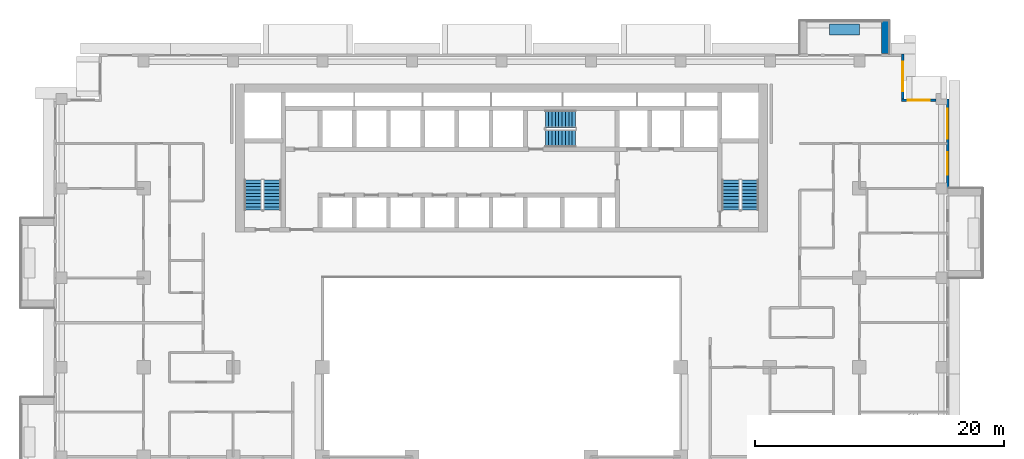
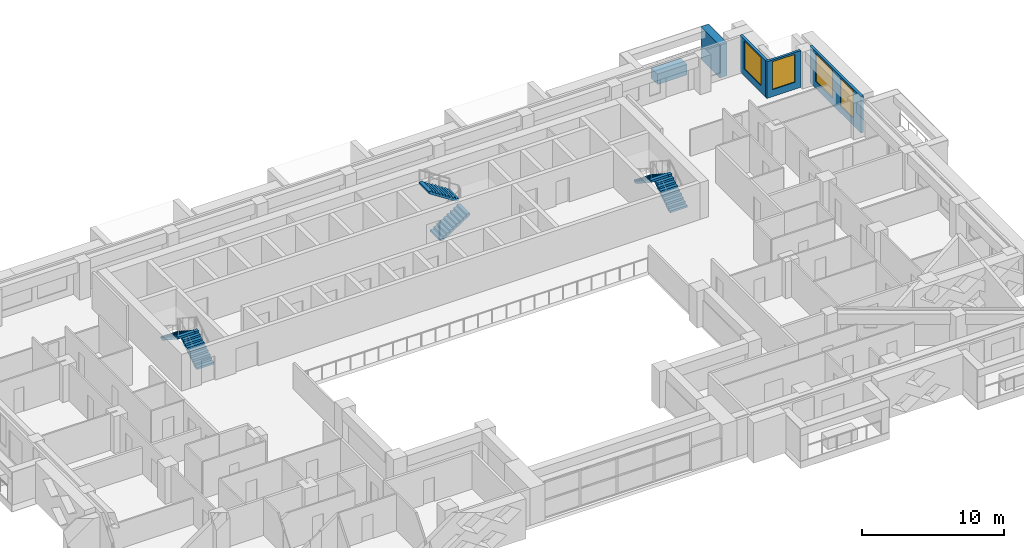
# One storey, part 12 of 19: 6 stair flights, 5 walls, 4 windows, 4 openings, 3 elements without a shape of their own.
"""IFC4 building model written with IfcOpenShell, lengths in metres."""

import ifcopenshell
import ifcopenshell.guid

model = None  # the IFC model being written
_history = None  # IfcOwnerHistory: only IFC2X3 demands one
_inside = {}  # id of a spatial element -> (the spatial element, [elements in it])
_under = {}  # id of a project, library or spatial element -> (it, [spatial elements below it])
_declared = {}  # id of a project -> (the project, [libraries it declares])
_typed = {}  # id of a type object -> (the type object, [elements of that type])
_made_of = {}  # id of a material, layer set ... -> (it, [elements and type objects made of it])


def new_model(schema):
    """Start an empty IFC model of exactly this schema.

    Asked for "IFC4X3", IfcOpenShell would pick the latest addendum, in which some entities
    have other attributes; the version numbers below select the first issue.
    IFC2X3 requires an IfcOwnerHistory on every rooted entity: one is made here for all.
    """
    global model, _history
    if schema == "IFC4X3":
        model = ifcopenshell.file(schema_version=(4, 3, 0, 0))
    else:
        model = ifcopenshell.file(schema=schema)
    _inside.clear()
    _under.clear()
    _declared.clear()
    _typed.clear()
    _made_of.clear()
    _history = None
    if model.schema == "IFC2X3":
        org = make("IfcOrganization", Name="unknown")
        user = make(
            "IfcPersonAndOrganization",
            ThePerson=make("IfcPerson", FamilyName="unknown"),
            TheOrganization=org,
        )
        app = make(
            "IfcApplication",
            ApplicationDeveloper=org,
            Version="unknown",
            ApplicationFullName="unknown",
            ApplicationIdentifier="unknown",
        )
        _history = make(
            "IfcOwnerHistory",
            OwningUser=user,
            OwningApplication=app,
            ChangeAction="ADDED",
            CreationDate=0,
        )
    return model


def make(cls, **values):
    """One entity of the class cls with the attributes given. An attribute that is None is left unset."""
    return model.create_entity(
        cls, **{name: value for name, value in values.items() if value is not None}
    )


def rooted(cls, **values):
    """An entity with a GlobalId (a new one), such as an element, a storey or a relation."""
    return make(cls, GlobalId=ifcopenshell.guid.new(), OwnerHistory=_history, **values)


def si_unit(unit_type, name, prefix=None):
    """IfcSIUnit, for example si_unit("LENGTHUNIT", "METRE", prefix="MILLI")."""
    return make("IfcSIUnit", UnitType=unit_type, Prefix=prefix, Name=name)


def assignment(units):
    """IfcUnitAssignment: the units of a project."""
    return None if units is None else make("IfcUnitAssignment", Units=units)


def point(xyz):
    """IfcCartesianPoint."""
    return None if xyz is None else make("IfcCartesianPoint", Coordinates=xyz)


def direction(xyz):
    """IfcDirection."""
    return None if xyz is None else make("IfcDirection", DirectionRatios=xyz)


def frame(location, z_axis=None, x_axis=None):
    """IfcAxis2Placement3D, a coordinate frame: its origin and axes. An axis left out is left unset."""
    return make(
        "IfcAxis2Placement3D",
        Location=point(location),
        Axis=direction(z_axis),
        RefDirection=direction(x_axis),
    )


def frame_2d(location, x_axis=None):
    """IfcAxis2Placement2D, a coordinate frame in the plane: its origin and x axis."""
    return make(
        "IfcAxis2Placement2D", Location=point(location), RefDirection=direction(x_axis)
    )


def origin():
    """The frame at (0, 0, 0) with its axes left unset."""
    return frame((0.0, 0.0, 0.0))


def place(relative_to, where):
    """IfcLocalPlacement: puts the frame where relative to a parent placement (None: the world)."""
    return make(
        "IfcLocalPlacement", PlacementRelTo=relative_to, RelativePlacement=where
    )


def context(
    kind, dimensions, precision=None, world=None, true_north=None, identifier=None
):
    """IfcGeometricRepresentationContext, for example the 3D "Model" context."""
    return make(
        "IfcGeometricRepresentationContext",
        ContextIdentifier=identifier,
        ContextType=kind,
        CoordinateSpaceDimension=dimensions,
        Precision=precision,
        WorldCoordinateSystem=world,
        TrueNorth=true_north,
    )


def subcontext(parent, identifier, kind, view, scale=None):
    """IfcGeometricRepresentationSubContext, for example "Body" below "Model"."""
    return make(
        "IfcGeometricRepresentationSubContext",
        ContextIdentifier=identifier,
        ContextType=kind,
        ParentContext=parent,
        TargetScale=scale,
        TargetView=view,
    )


def project(units=None, contexts=None):
    """IfcProject with its units and contexts."""
    return rooted(
        "IfcProject",
        Name="project",
        RepresentationContexts=contexts,
        UnitsInContext=assignment(units),
    )


def spatial(cls, under=None, at=None, **own):
    """A site, building, storey or space (cls), placed at a placement, below another one or the project."""
    s = rooted(cls, ObjectPlacement=at, **own)
    if under is not None:
        _under.setdefault(under.id(), (under, []))[1].append(s)
    return s


def polyline(points):
    """IfcPolyline through the points."""
    return make("IfcPolyline", Points=[point(p) for p in points])


def profile(cls, at=None, kind="AREA", **sizes):
    """A parametric profile (cls). Its sizes go by their IFC names, for example OverallWidth=200.0."""
    return make(cls, ProfileType=kind, Position=at, **sizes)


def rectangle(**sizes):
    """IfcRectangleProfileDef."""
    return profile("IfcRectangleProfileDef", **sizes)


def outline(outer, holes=None, kind="AREA"):
    """IfcArbitraryClosedProfileDef: a profile drawn as a closed curve; with holes, ...WithVoids."""
    if holes is None:
        return make("IfcArbitraryClosedProfileDef", ProfileType=kind, OuterCurve=outer)
    return make(
        "IfcArbitraryProfileDefWithVoids",
        ProfileType=kind,
        OuterCurve=outer,
        InnerCurves=holes,
    )


def extrude(swept, where, along, depth):
    """IfcExtrudedAreaSolid: the profile swept, set in the frame where, extruded along a direction by depth."""
    return make(
        "IfcExtrudedAreaSolid",
        SweptArea=swept,
        Position=where,
        ExtrudedDirection=direction(along),
        Depth=depth,
    )


def shape(context_of_items, identifier, shape_type, items):
    """IfcShapeRepresentation: the items that make up one representation, for example the "Body"."""
    return make(
        "IfcShapeRepresentation",
        ContextOfItems=context_of_items,
        RepresentationIdentifier=identifier,
        RepresentationType=shape_type,
        Items=items,
    )


def material(Name=None, Category=None):
    """IfcMaterial."""
    return make("IfcMaterial", Name=Name, Category=Category)


def layer(
    of_material, thickness, ventilated=None, Name=None, Category=None, Priority=None
):
    """IfcMaterialLayer: one layer of a wall or slab, of a material (None: an air gap)."""
    return make(
        "IfcMaterialLayer",
        Material=of_material,
        LayerThickness=thickness,
        IsVentilated=ventilated,
        Name=Name,
        Category=Category,
        Priority=Priority,
    )


def layer_set(layers, Name=None):
    """IfcMaterialLayerSet."""
    return make("IfcMaterialLayerSet", MaterialLayers=layers, LayerSetName=Name)


def made_of(thing, what):
    """Note that an element or type object is made of a material, layer set ...; save() writes the relation."""
    if what is not None:
        _made_of.setdefault(what.id(), (what, []))[1].append(thing)
    return thing


def type_object(cls, material=None, **own):
    """A type object (cls), such as IfcWallType, which elements share."""
    return made_of(rooted(cls, **own), material)


def element(
    cls,
    number,
    at=None,
    inside=None,
    cuts=None,
    type_object=None,
    material=None,
    context=None,
    identifier="Body",
    shape_type=None,
    held_by="IfcProductDefinitionShape",
    body=None,
    shapes=None,
    **own,
):
    """One element of the class cls, such as IfcWall. Its Tag is "e" and its number.

    at: its placement. inside: the storey or other place that contains it. cuts: it is an
    opening in that element (IfcRelVoidsElement). A single representation is given by context,
    identifier, shape_type and body (its items); several are given by shapes. held_by: the class
    of the entity that holds the representations. save() writes the other relations.
    """
    e = rooted(cls, Tag="e%d" % number, ObjectPlacement=at, **own)
    if body is not None:
        shapes = [shape(context, identifier, shape_type, body)]
    if shapes is not None:
        e.Representation = make(held_by, Representations=shapes)
    if inside is not None:
        _inside.setdefault(inside.id(), (inside, []))[1].append(e)
    if cuts is not None:
        rooted(
            "IfcRelVoidsElement", RelatingBuildingElement=cuts, RelatedOpeningElement=e
        )
    if type_object is not None:
        _typed.setdefault(type_object.id(), (type_object, []))[1].append(e)
    return made_of(e, material)


def fill(opening, filler):
    """IfcRelFillsElement: the door or window that sits in an opening."""
    return rooted(
        "IfcRelFillsElement",
        RelatingOpeningElement=opening,
        RelatedBuildingElement=filler,
    )


def aggregate(whole, parts):
    """IfcRelAggregates: a whole, such as a stair, and the parts it consists of."""
    return rooted("IfcRelAggregates", RelatingObject=whole, RelatedObjects=parts)


def save(model, path):
    """Write the relations noted so far, then the file.

    IfcRelAggregates (storeys below a building ...), IfcRelContainedInSpatialStructure (elements
    in a storey), IfcRelDefinesByType, IfcRelAssociatesMaterial and IfcRelDeclares: one each for
    every whole, place, type object, material and project.
    """
    for whole, parts in _under.values():
        aggregate(whole, parts)
    for where, things in _inside.values():
        rooted(
            "IfcRelContainedInSpatialStructure",
            RelatedElements=things,
            RelatingStructure=where,
        )
    for kind, things in _typed.values():
        rooted("IfcRelDefinesByType", RelatedObjects=things, RelatingType=kind)
    for what, things in _made_of.values():
        rooted("IfcRelAssociatesMaterial", RelatedObjects=things, RelatingMaterial=what)
    for by, libraries in _declared.values():
        rooted("IfcRelDeclares", RelatingContext=by, RelatedDefinitions=libraries)
    model.write(path)


model = new_model("IFC4")

# Units and contexts
model_context = context("Model", 3, precision=1e-05, world=origin(), true_north=direction((0.0, 1.0)))
body_context = subcontext(model_context, "Body", "Model", "MODEL_VIEW")
ifc_project = project(units=[si_unit("LENGTHUNIT", "METRE"), si_unit("AREAUNIT", "SQUARE_METRE"), si_unit("VOLUMEUNIT", "CUBIC_METRE"), si_unit("PLANEANGLEUNIT", "RADIAN"), si_unit("MASSUNIT", "GRAM", prefix="KILO")], contexts=[model_context])

# Site, building, storey
site_placement = place(None, origin())
site = spatial("IfcSite", under=ifc_project, at=site_placement, CompositionType="ELEMENT")
building_placement = place(site_placement, origin())
building = spatial("IfcBuilding", under=site, at=building_placement, Name="Saffron Iwan Residences", CompositionType="ELEMENT")
storey_placement = place(building_placement, frame((0.0, 0.0, 134.0)))
storey = spatial("IfcBuildingStorey", under=building, at=storey_placement, Name="L35", CompositionType="ELEMENT", Elevation=134.0)

# Walls
ifc_material_1 = material(Name="Concrete C50/60 white painted", Category="concrete")
ifc_layer_1 = layer(ifc_material_1, 0.60009765625)
ifc_layer_set_1 = layer_set([ifc_layer_1], Name="Concrete C50/60 white painted")
wall_type_1 = type_object("IfcWallType", Name="BALCONY FIN 600", PredefinedType="SOLIDWALL", material=ifc_layer_set_1)
wall_1_placement = place(storey_placement, frame((81.300048828125, 80.449951171875, 0.0), z_axis=(0.0, 0.0, 1.0), x_axis=(0.0, 1.0, 0.0)))
element("IfcWall", 1, at=wall_1_placement, inside=storey, type_object=wall_type_1, Name="Balcony fin L35 F5-0a", PredefinedType="SOLIDWALL", context=body_context, shape_type="SweptSolid", body=[
    extrude(rectangle(XDim=2.650146484375, YDim=0.60009765625, at=frame_2d((1.3251953125, 0.0))), origin(), (0.0, 0.0, 1.0), 2.800048828125),
])
ifc_material_2 = material(Name="Concrete C35/45 white painted", Category="concrete")
ifc_layer_2 = layer(ifc_material_2, 0.14990234375)
ifc_layer_set_2 = layer_set([ifc_layer_2], Name="Concrete C35/45 white painted")
wall_type_2 = type_object("IfcWallType", Name="BALCONY PLANTER", PredefinedType="SOLIDWALL", material=ifc_layer_set_2)
wall_2_placement = place(storey_placement, frame((79.199951171875, 82.375, 0.0), z_axis=(0.0, 0.0, 1.0), x_axis=(-1.0, 0.0, 0.0)))
element("IfcWall", 2, at=wall_2_placement, inside=storey, type_object=wall_type_2, Name="PLANTER L35 F5-0", PredefinedType="SOLIDWALL", context=body_context, shape_type="SweptSolid", body=[
    extrude(rectangle(XDim=2.39990234375, YDim=0.89990234375, at=frame_2d((1.199951171875, 0.0))), origin(), (0.0, 0.0, 1.0), 0.89990234375),
])

# Wall, openings, windows
ifc_material_3 = material(Name="Concrete C40/50", Category="concrete")
ifc_layer_3 = layer(ifc_material_3, 0.199951171875)
ifc_layer_set_3 = layer_set([ifc_layer_3], Name="Concrete C40/50")
wall_type_3 = type_object("IfcWallType", Name="EXTERNAL WALL 200", PredefinedType="SOLIDWALL", material=ifc_layer_set_3)
wall_3_placement = place(storey_placement, frame((86.300048828125, 69.60009765625, 0.0), z_axis=(0.0, 0.0, 1.0), x_axis=(0.0, 1.0, 0.0)))
wall_3 = element("IfcWall", 3, at=wall_3_placement, inside=storey, type_object=wall_type_3, Name="External wall L35 F2.2", PredefinedType="SOLIDWALL", context=body_context, shape_type="SweptSolid", body=[
    extrude(rectangle(XDim=7.199951171875, YDim=0.199951171875, at=frame_2d((3.60009765625, 0.0))), origin(), (0.0, 0.0, 1.0), 3.14990234375),
])
opening_1_placement = place(wall_3_placement, frame((1.10009765625, 0.0, 0.60009765625)))
opening_1 = element("IfcOpeningElement", 4, at=opening_1_placement, cuts=wall_3, Name="Opening W8", PredefinedType="OPENING", context=body_context, shape_type="SweptSolid", body=[
    extrude(rectangle(XDim=1.800048828125, YDim=2.39990234375, at=frame_2d((0.89990234375, 1.199951171875))), frame((0.0, 0.10986328125, 0.0), z_axis=(0.0, -1.0, 0.0), x_axis=(1.0, 0.0, 0.0)), (0.0, 0.0, 1.0), 0.219970703125),
])
opening_2_placement = place(wall_3_placement, frame((4.0, 0.0, 0.60009765625)))
opening_2 = element("IfcOpeningElement", 5, at=opening_2_placement, cuts=wall_3, Name="Opening W1", PredefinedType="OPENING", context=body_context, shape_type="SweptSolid", body=[
    extrude(rectangle(XDim=2.39990234375, YDim=2.39990234375, at=frame_2d((1.199951171875, 1.199951171875))), frame((0.0, 0.10986328125, 0.0), z_axis=(0.0, -1.0, 0.0), x_axis=(1.0, 0.0, 0.0)), (0.0, 0.0, 1.0), 0.219970703125),
])
ifc_material_4 = material(Name="Clear glass, laminated double glazed", Category="glass")
window_type_1 = type_object("IfcWindowType", Name="WINDOW 1800 x 2400", PartitioningType="DOUBLE_PANEL_VERTICAL", PredefinedType="WINDOW", material=ifc_material_4)
window_1_placement = place(opening_1_placement, origin())
window_1 = element("IfcWindow", 6, at=window_1_placement, inside=storey, type_object=window_type_1, Name="Window L35 F2.0", OverallHeight=2.39990234375, OverallWidth=1.800048828125, PartitioningType="DOUBLE_PANEL_VERTICAL", PredefinedType="WINDOW", context=body_context, shape_type="SweptSolid", body=[
    extrude(rectangle(XDim=1.800048828125, YDim=2.39990234375, at=frame_2d((0.89990234375, 1.199951171875))), frame((0.0, 0.030029296875, 0.0), z_axis=(0.0, -1.0, 0.0), x_axis=(1.0, 0.0, 0.0)), (0.0, 0.0, 1.0), 0.06005859375),
])
fill(opening_1, window_1)
window_type_2 = type_object("IfcWindowType", Name="WINDOW 2400 x 2400", PartitioningType="DOUBLE_PANEL_VERTICAL", PredefinedType="WINDOW", material=ifc_material_4)
window_2_placement = place(opening_2_placement, origin())
window_2 = element("IfcWindow", 7, at=window_2_placement, inside=storey, type_object=window_type_2, Name="Window L35 F2.1", OverallHeight=2.39990234375, OverallWidth=2.39990234375, PartitioningType="DOUBLE_PANEL_VERTICAL", PredefinedType="WINDOW", context=body_context, shape_type="SweptSolid", body=[
    extrude(rectangle(XDim=2.39990234375, YDim=2.39990234375, at=frame_2d((1.199951171875, 1.199951171875))), frame((0.0, 0.030029296875, 0.0), z_axis=(0.0, -1.0, 0.0), x_axis=(1.0, 0.0, 0.0)), (0.0, 0.0, 1.0), 0.06005859375),
])
fill(opening_2, window_2)

# Wall, opening, window
wall_4_placement = place(storey_placement, frame((85.35009765625, 76.699951171875, 0.0), z_axis=(0.0, 0.0, 1.0), x_axis=(-1.0, 0.0, 0.0)))
wall_4 = element("IfcWall", 8, at=wall_4_placement, inside=storey, type_object=wall_type_3, Name="External wall L35 F3.0", PredefinedType="SOLIDWALL", context=body_context, shape_type="SweptSolid", body=[
    extrude(rectangle(XDim=2.75, YDim=0.199951171875, at=frame_2d((1.375, 0.0))), origin(), (0.0, 0.0, 1.0), 3.14990234375),
])
opening_3_placement = place(wall_4_placement, frame((0.47509765625, 0.0, 0.60009765625)))
opening_3 = element("IfcOpeningElement", 9, at=opening_3_placement, cuts=wall_4, Name="Opening W8", PredefinedType="OPENING", context=body_context, shape_type="SweptSolid", body=[
    extrude(rectangle(XDim=1.800048828125, YDim=2.39990234375, at=frame_2d((0.89990234375, 1.199951171875))), frame((0.0, 0.10986328125, 0.0), z_axis=(0.0, -1.0, 0.0), x_axis=(1.0, 0.0, 0.0)), (0.0, 0.0, 1.0), 0.219970703125),
])
window_3_placement = place(opening_3_placement, origin())
window_3 = element("IfcWindow", 10, at=window_3_placement, inside=storey, type_object=window_type_1, Name="Window L35 F3.0", OverallHeight=2.39990234375, OverallWidth=1.800048828125, PartitioningType="DOUBLE_PANEL_VERTICAL", PredefinedType="WINDOW", context=body_context, shape_type="SweptSolid", body=[
    extrude(rectangle(XDim=1.800048828125, YDim=2.39990234375, at=frame_2d((0.89990234375, 1.199951171875))), frame((0.0, 0.030029296875, 0.0), z_axis=(0.0, -1.0, 0.0), x_axis=(1.0, 0.0, 0.0)), (0.0, 0.0, 1.0), 0.06005859375),
])
fill(opening_3, window_3)

wall_5_placement = place(storey_placement, frame((82.699951171875, 76.800048828125, 0.0), z_axis=(0.0, 0.0, 1.0), x_axis=(0.0, 1.0, 0.0)))
wall_5 = element("IfcWall", 11, at=wall_5_placement, inside=storey, type_object=wall_type_3, Name="External wall L35 F4.0", PredefinedType="SOLIDWALL", context=body_context, shape_type="SweptSolid", body=[
    extrude(rectangle(XDim=3.599853515625, YDim=0.199951171875, at=frame_2d((1.7998046875, 0.0))), origin(), (0.0, 0.0, 1.0), 3.14990234375),
])
opening_4_placement = place(wall_5_placement, frame((0.60009765625, 0.0, 0.60009765625)))
opening_4 = element("IfcOpeningElement", 12, at=opening_4_placement, cuts=wall_5, Name="Opening W1", PredefinedType="OPENING", context=body_context, shape_type="SweptSolid", body=[
    extrude(rectangle(XDim=2.39990234375, YDim=2.39990234375, at=frame_2d((1.199951171875, 1.199951171875))), frame((0.0, 0.10986328125, 0.0), z_axis=(0.0, -1.0, 0.0), x_axis=(1.0, 0.0, 0.0)), (0.0, 0.0, 1.0), 0.219970703125),
])
window_4_placement = place(opening_4_placement, origin())
window_4 = element("IfcWindow", 13, at=window_4_placement, inside=storey, type_object=window_type_2, Name="Window L35 F4.0", OverallHeight=2.39990234375, OverallWidth=2.39990234375, PartitioningType="DOUBLE_PANEL_VERTICAL", PredefinedType="WINDOW", context=body_context, shape_type="SweptSolid", body=[
    extrude(rectangle(XDim=2.39990234375, YDim=2.39990234375, at=frame_2d((1.199951171875, 1.199951171875))), frame((0.0, 0.030029296875, 0.0), z_axis=(0.0, -1.0, 0.0), x_axis=(1.0, 0.0, 0.0)), (0.0, 0.0, 1.0), 0.06005859375),
])
fill(opening_4, window_4)

# Stair, stair flights
ifc_material_5 = material(Name="Concrete C50/60", Category="concrete")
stair_type = type_object("IfcStairType", Name="Stair ST-CORE", PredefinedType="HALF_TURN_STAIR", material=ifc_material_5)
stair_1_placement = place(storey_placement, origin())
stair_1 = element("IfcStair", 14, at=stair_1_placement, inside=storey, type_object=stair_type, Name="L35 Exit Stair ST-W", PredefinedType="HALF_TURN_STAIR")
ifc_layer_4 = layer(ifc_material_5, 0.14990234375)
ifc_layer_set_4 = layer_set([ifc_layer_4], Name="Concrete C50/60")
stair_flight_type = type_object("IfcStairFlightType", Name="Stair flight SFL-RC", PredefinedType="STRAIGHT", material=ifc_layer_set_4)
stair_flight_1_placement = place(storey_placement, frame((31.949951171875, 67.85009765625, 0.0), z_axis=(0.0, 0.0, 1.0), x_axis=(0.0, 1.0, 0.0)))
stair_flight_1 = element("IfcStairFlight", 15, at=stair_flight_1_placement, type_object=stair_flight_type, Name="ST-W flight 1", NumberOfRisers=10, NumberOfTreads=9, PredefinedType="STRAIGHT", RiserHeight=0.175, TreadLength=0.27, context=body_context, shape_type="SweptSolid", body=[
    extrude(outline(polyline([(0.0, 0.0), (0.0, 0.175048828125), (0.27001953125, 0.175048828125), (0.27001953125, 0.35009765625), (0.5400390625, 0.35009765625), (0.5400390625, 0.52490234375), (0.81005859375, 0.52490234375), (0.81005859375, 0.699951171875), (1.080078125, 0.699951171875), (1.080078125, 0.875), (1.35009765625, 0.875), (1.35009765625, 1.050048828125), (1.6201171875, 1.050048828125), (1.6201171875, 1.22509765625), (1.889892578125, 1.22509765625), (1.889892578125, 1.39990234375), (2.159912109375, 1.39990234375), (2.159912109375, 1.574951171875), (2.429931640625, 1.574951171875), (2.429931640625, 1.75), (2.429931640625, 1.396484375), (0.275634765625, 0.0), (0.0, 0.0)])), frame((0.0, 0.699951171875, 0.0), z_axis=(0.0, -1.0, 0.0), x_axis=(1.0, 0.0, 0.0)), (0.0, 0.0, 1.0), 1.39990234375),
])
stair_flight_2_placement = place(storey_placement, frame((30.39990234375, 70.280029296875, 1.75), z_axis=(0.0, 0.0, 1.0), x_axis=(0.0, -1.0, 0.0)))
stair_flight_2 = element("IfcStairFlight", 16, at=stair_flight_2_placement, type_object=stair_flight_type, Name="ST-W flight 2", NumberOfRisers=10, NumberOfTreads=9, PredefinedType="STRAIGHT", RiserHeight=0.175, TreadLength=0.27, context=body_context, shape_type="SweptSolid", body=[
    extrude(outline(polyline([(0.0, 0.0), (0.0, 0.175048828125), (0.27001953125, 0.175048828125), (0.27001953125, 0.35009765625), (0.5400390625, 0.35009765625), (0.5400390625, 0.52490234375), (0.81005859375, 0.52490234375), (0.81005859375, 0.699951171875), (1.080078125, 0.699951171875), (1.080078125, 0.875), (1.35009765625, 0.875), (1.35009765625, 1.050048828125), (1.6201171875, 1.050048828125), (1.6201171875, 1.22509765625), (1.889892578125, 1.22509765625), (1.889892578125, 1.39990234375), (2.159912109375, 1.39990234375), (2.159912109375, 1.574951171875), (2.429931640625, 1.574951171875), (2.429931640625, 1.75), (2.429931640625, 1.396484375), (0.275634765625, 0.0), (0.0, 0.0)])), frame((0.0, 0.699951171875, 0.0), z_axis=(0.0, -1.0, 0.0), x_axis=(1.0, 0.0, 0.0)), (0.0, 0.0, 1.0), 1.39990234375),
])
aggregate(stair_1, [stair_flight_1, stair_flight_2])

stair_2_placement = place(storey_placement, origin())
stair_2 = element("IfcStair", 17, at=stair_2_placement, inside=storey, type_object=stair_type, Name="L35 Exit Stair ST-C", PredefinedType="HALF_TURN_STAIR")
stair_flight_3_placement = place(storey_placement, frame((53.925048828125, 73.625, 0.0), z_axis=(0.0, 0.0, 1.0), x_axis=(1.0, 0.0, 0.0)))
stair_flight_3 = element("IfcStairFlight", 18, at=stair_flight_3_placement, type_object=stair_flight_type, Name="ST-C flight 1", NumberOfRisers=10, NumberOfTreads=9, PredefinedType="STRAIGHT", RiserHeight=0.175, TreadLength=0.27, context=body_context, shape_type="SweptSolid", body=[
    extrude(outline(polyline([(0.0, 0.0), (0.0, 0.175048828125), (0.27001953125, 0.175048828125), (0.27001953125, 0.35009765625), (0.5400390625, 0.35009765625), (0.5400390625, 0.52490234375), (0.81005859375, 0.52490234375), (0.81005859375, 0.699951171875), (1.080078125, 0.699951171875), (1.080078125, 0.875), (1.35009765625, 0.875), (1.35009765625, 1.050048828125), (1.6201171875, 1.050048828125), (1.6201171875, 1.22509765625), (1.889892578125, 1.22509765625), (1.889892578125, 1.39990234375), (2.159912109375, 1.39990234375), (2.159912109375, 1.574951171875), (2.429931640625, 1.574951171875), (2.429931640625, 1.75), (2.429931640625, 1.396484375), (0.275634765625, 0.0), (0.0, 0.0)])), frame((0.0, 0.699951171875, 0.0), z_axis=(0.0, -1.0, 0.0), x_axis=(1.0, 0.0, 0.0)), (0.0, 0.0, 1.0), 1.39990234375),
])
stair_flight_4_placement = place(storey_placement, frame((56.35498046875, 75.175048828125, 1.75), z_axis=(0.0, 0.0, 1.0), x_axis=(-1.0, 0.0, 0.0)))
stair_flight_4 = element("IfcStairFlight", 19, at=stair_flight_4_placement, type_object=stair_flight_type, Name="ST-C flight 2", NumberOfRisers=10, NumberOfTreads=9, PredefinedType="STRAIGHT", RiserHeight=0.175, TreadLength=0.27, context=body_context, shape_type="SweptSolid", body=[
    extrude(outline(polyline([(0.0, 0.0), (0.0, 0.175048828125), (0.27001953125, 0.175048828125), (0.27001953125, 0.35009765625), (0.5400390625, 0.35009765625), (0.5400390625, 0.52490234375), (0.81005859375, 0.52490234375), (0.81005859375, 0.699951171875), (1.080078125, 0.699951171875), (1.080078125, 0.875), (1.35009765625, 0.875), (1.35009765625, 1.050048828125), (1.6201171875, 1.050048828125), (1.6201171875, 1.22509765625), (1.889892578125, 1.22509765625), (1.889892578125, 1.39990234375), (2.159912109375, 1.39990234375), (2.159912109375, 1.574951171875), (2.429931640625, 1.574951171875), (2.429931640625, 1.75), (2.429931640625, 1.396484375), (0.275634765625, 0.0), (0.0, 0.0)])), frame((0.0, 0.699951171875, 0.0), z_axis=(0.0, -1.0, 0.0), x_axis=(1.0, 0.0, 0.0)), (0.0, 0.0, 1.0), 1.39990234375),
])
aggregate(stair_2, [stair_flight_3, stair_flight_4])

stair_3_placement = place(storey_placement, origin())
stair_3 = element("IfcStair", 20, at=stair_3_placement, inside=storey, type_object=stair_type, Name="L35 Exit Stair ST-E", PredefinedType="HALF_TURN_STAIR")
stair_flight_5_placement = place(storey_placement, frame((70.39990234375, 67.85009765625, 0.0), z_axis=(0.0, 0.0, 1.0), x_axis=(0.0, 1.0, 0.0)))
stair_flight_5 = element("IfcStairFlight", 21, at=stair_flight_5_placement, type_object=stair_flight_type, Name="ST-E flight 1", NumberOfRisers=10, NumberOfTreads=9, PredefinedType="STRAIGHT", RiserHeight=0.175, TreadLength=0.27, context=body_context, shape_type="SweptSolid", body=[
    extrude(outline(polyline([(0.0, 0.0), (0.0, 0.175048828125), (0.27001953125, 0.175048828125), (0.27001953125, 0.35009765625), (0.5400390625, 0.35009765625), (0.5400390625, 0.52490234375), (0.81005859375, 0.52490234375), (0.81005859375, 0.699951171875), (1.080078125, 0.699951171875), (1.080078125, 0.875), (1.35009765625, 0.875), (1.35009765625, 1.050048828125), (1.6201171875, 1.050048828125), (1.6201171875, 1.22509765625), (1.889892578125, 1.22509765625), (1.889892578125, 1.39990234375), (2.159912109375, 1.39990234375), (2.159912109375, 1.574951171875), (2.429931640625, 1.574951171875), (2.429931640625, 1.75), (2.429931640625, 1.396484375), (0.275634765625, 0.0), (0.0, 0.0)])), frame((0.0, 0.699951171875, 0.0), z_axis=(0.0, -1.0, 0.0), x_axis=(1.0, 0.0, 0.0)), (0.0, 0.0, 1.0), 1.39990234375),
])
stair_flight_6_placement = place(storey_placement, frame((68.85009765625, 70.280029296875, 1.75), z_axis=(0.0, 0.0, 1.0), x_axis=(0.0, -1.0, 0.0)))
stair_flight_6 = element("IfcStairFlight", 22, at=stair_flight_6_placement, type_object=stair_flight_type, Name="ST-E flight 2", NumberOfRisers=10, NumberOfTreads=9, PredefinedType="STRAIGHT", RiserHeight=0.175, TreadLength=0.27, context=body_context, shape_type="SweptSolid", body=[
    extrude(outline(polyline([(0.0, 0.0), (0.0, 0.175048828125), (0.27001953125, 0.175048828125), (0.27001953125, 0.35009765625), (0.5400390625, 0.35009765625), (0.5400390625, 0.52490234375), (0.81005859375, 0.52490234375), (0.81005859375, 0.699951171875), (1.080078125, 0.699951171875), (1.080078125, 0.875), (1.35009765625, 0.875), (1.35009765625, 1.050048828125), (1.6201171875, 1.050048828125), (1.6201171875, 1.22509765625), (1.889892578125, 1.22509765625), (1.889892578125, 1.39990234375), (2.159912109375, 1.39990234375), (2.159912109375, 1.574951171875), (2.429931640625, 1.574951171875), (2.429931640625, 1.75), (2.429931640625, 1.396484375), (0.275634765625, 0.0), (0.0, 0.0)])), frame((0.0, 0.699951171875, 0.0), z_axis=(0.0, -1.0, 0.0), x_axis=(1.0, 0.0, 0.0)), (0.0, 0.0, 1.0), 1.39990234375),
])
aggregate(stair_3, [stair_flight_5, stair_flight_6])

save(model, "model.ifc")
